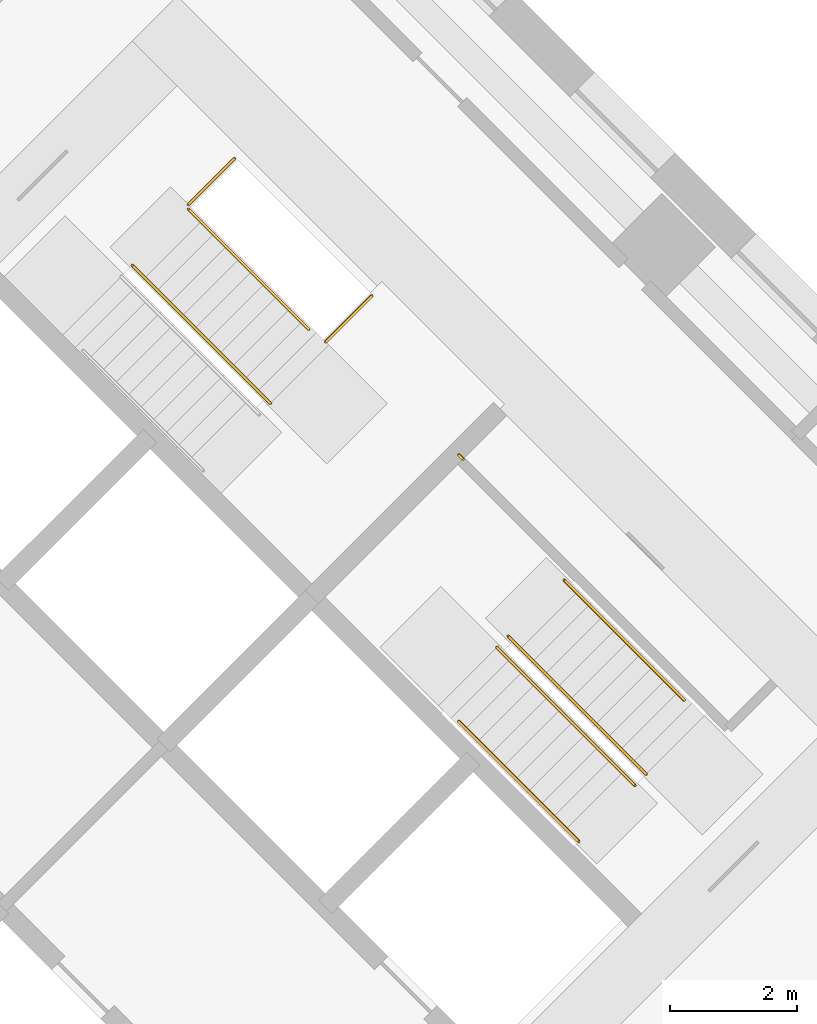
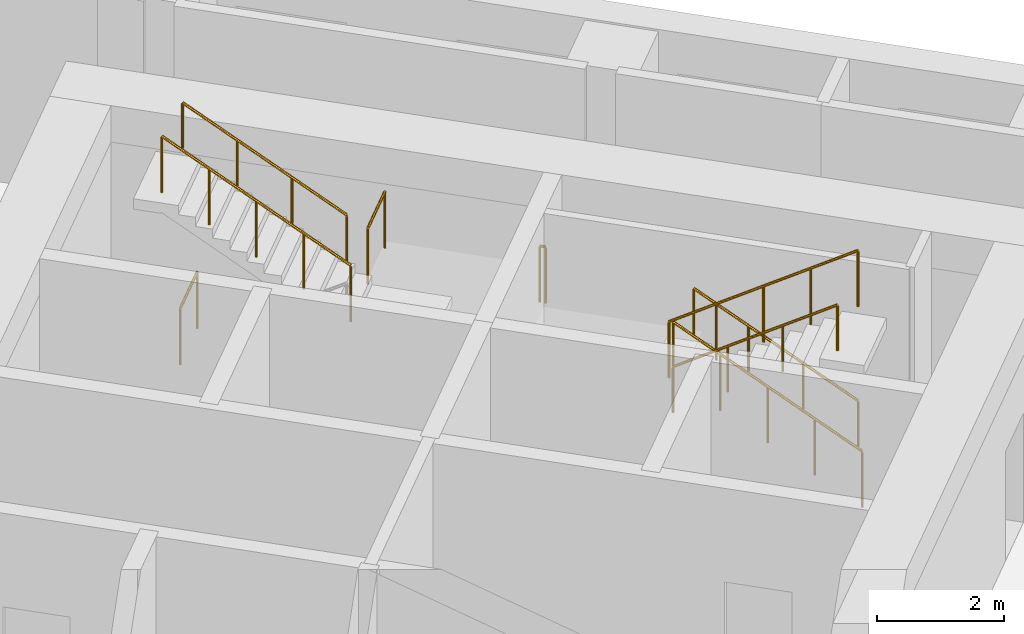
# One storey, part 12 of 12: 9 railings.
"""IFC4 building model written with IfcOpenShell, lengths in metres."""

from ifc_helpers import new_model, si_unit, direction, frame, origin, origin_2d, place, context, subcontext, project, spatial, circle, extrude, material, type_object, element, save


model = new_model("IFC4")

# Units and contexts
model_context = context("Model", 3, precision=1e-05, world=origin(), true_north=direction((0.0, 1.0)))
body_context = subcontext(model_context, "Body", "Model", "MODEL_VIEW")
ifc_project = project(units=[si_unit("LENGTHUNIT", "METRE"), si_unit("AREAUNIT", "SQUARE_METRE"), si_unit("VOLUMEUNIT", "CUBIC_METRE"), si_unit("PLANEANGLEUNIT", "RADIAN"), si_unit("MASSUNIT", "GRAM", prefix="KILO")], contexts=[model_context])

# Site, building, storey
site_placement = place(None, origin())
site = spatial("IfcSite", under=ifc_project, at=site_placement, CompositionType="ELEMENT")
building_placement = place(site_placement, origin())
building = spatial("IfcBuilding", under=site, at=building_placement, Name="Windrow Commons", CompositionType="ELEMENT")
storey_placement = place(building_placement, frame((0.0, 0.0, 22.8)))
storey = spatial("IfcBuildingStorey", under=building, at=storey_placement, Name="L05", CompositionType="ELEMENT", Elevation=22.8)

# Railings
ifc_material_1 = material(Name="Steel S355", Category="steel")
railing_type_1 = type_object("IfcRailingType", Name="Core stair guard 1100", PredefinedType="GUARDRAIL", material=ifc_material_1)
railing_1_placement = place(storey_placement, frame((88.3075, 54.2658, 2.275)))
element("IfcRailing", 1, at=railing_1_placement, inside=storey, type_object=railing_type_1, Name="L05 ST-B1 stair guard 2", PredefinedType="GUARDRAIL", context=body_context, shape_type="SweptSolid", body=[
    extrude(circle(Radius=0.024, at=origin_2d()), frame((0.0, 0.0, 1.076), z_axis=(-0.5996262107, 0.5996262107, 0.5299969951), x_axis=(-0.7071067812, -0.7071067812, 0.0)), (0.0, 0.0, 1.0), 3.6321),
    extrude(circle(Radius=0.021, at=origin_2d()), origin(), (0.0, 0.0, 1.0), 1.052),
    extrude(circle(Radius=0.021, at=origin_2d()), frame((-0.5445, 0.5445, 0.4813)), (0.0, 0.0, 1.0), 1.052),
    extrude(circle(Radius=0.021, at=origin_2d()), frame((-1.089, 1.089, 0.9625)), (0.0, 0.0, 1.0), 1.052),
    extrude(circle(Radius=0.021, at=origin_2d()), frame((-1.6334, 1.6334, 1.4438)), (0.0, 0.0, 1.0), 1.052),
    extrude(circle(Radius=0.021, at=origin_2d()), frame((-2.1779, 2.1779, 1.925)), (0.0, 0.0, 1.0), 1.052),
])
railing_2_placement = place(storey_placement, frame((87.0135, 57.3982, 0.0)))
element("IfcRailing", 2, at=railing_2_placement, inside=storey, type_object=railing_type_1, Name="L05 ST-B1 stair guard 3", PredefinedType="GUARDRAIL", context=body_context, shape_type="SweptSolid", body=[
    extrude(circle(Radius=0.024, at=origin_2d()), frame((0.0, 0.0, 1.076), z_axis=(0.7070582378, 0.7071553212, 0.0), x_axis=(-0.7071553212, 0.7070582378, 0.0)), (0.0, 0.0, 1.0), 1.03),
    extrude(circle(Radius=0.021, at=origin_2d()), origin(), (0.0, 0.0, 1.0), 1.052),
    extrude(circle(Radius=0.021, at=origin_2d()), frame((0.7283, 0.7284, 0.0)), (0.0, 0.0, 1.0), 1.052),
])
railing_3_placement = place(storey_placement, frame((89.1773, 55.2345, 2.1)))
element("IfcRailing", 3, at=railing_3_placement, inside=storey, type_object=railing_type_1, Name="L05 ST-B1 stair guard 4", PredefinedType="GUARDRAIL", context=body_context, shape_type="SweptSolid", body=[
    extrude(circle(Radius=0.024, at=origin_2d()), frame((0.0, 0.0, 1.076), z_axis=(0.7071067812, 0.7071067812, 0.0), x_axis=(-0.7071067812, 0.7071067812, 0.0)), (0.0, 0.0, 1.0), 1.03),
    extrude(circle(Radius=0.021, at=origin_2d()), origin(), (0.0, 0.0, 1.0), 1.052),
    extrude(circle(Radius=0.021, at=origin_2d()), frame((0.7283, 0.7283, 0.0)), (0.0, 0.0, 1.0), 1.052),
])
railing_4_placement = place(storey_placement, frame((94.2296, 48.4215, 0.175)))
element("IfcRailing", 4, at=railing_4_placement, inside=storey, type_object=railing_type_1, Name="L05 ST-B2 stair guard 1", PredefinedType="GUARDRAIL", context=body_context, shape_type="SweptSolid", body=[
    extrude(circle(Radius=0.024, at=origin_2d()), frame((0.0, 0.0, 1.076), z_axis=(-0.5996262107, 0.5996262107, 0.5299969951), x_axis=(-0.7071067812, -0.7071067812, 0.0)), (0.0, 0.0, 1.0), 3.6321),
    extrude(circle(Radius=0.021, at=origin_2d()), origin(), (0.0, 0.0, 1.0), 1.052),
    extrude(circle(Radius=0.021, at=origin_2d()), frame((-0.5445, 0.5445, 0.4812)), (0.0, 0.0, 1.0), 1.052),
    extrude(circle(Radius=0.021, at=origin_2d()), frame((-1.089, 1.089, 0.9625)), (0.0, 0.0, 1.0), 1.052),
    extrude(circle(Radius=0.021, at=origin_2d()), frame((-1.6334, 1.6334, 1.4437)), (0.0, 0.0, 1.0), 1.052),
    extrude(circle(Radius=0.021, at=origin_2d()), frame((-2.1779, 2.1779, 1.925)), (0.0, 0.0, 1.0), 1.052),
])
railing_5_placement = place(storey_placement, frame((91.8749, 50.4226, 2.275)))
element("IfcRailing", 5, at=railing_5_placement, inside=storey, type_object=railing_type_1, Name="L05 ST-B2 stair guard 2", PredefinedType="GUARDRAIL", context=body_context, shape_type="SweptSolid", body=[
    extrude(circle(Radius=0.024, at=origin_2d()), frame((0.0, 0.0, 1.076), z_axis=(0.5996262107, -0.5996262107, 0.5299969951), x_axis=(0.7071067812, 0.7071067812, 0.0)), (0.0, 0.0, 1.0), 3.6321),
    extrude(circle(Radius=0.021, at=origin_2d()), origin(), (0.0, 0.0, 1.0), 1.052),
    extrude(circle(Radius=0.021, at=origin_2d()), frame((0.5445, -0.5445, 0.4813)), (0.0, 0.0, 1.0), 1.052),
    extrude(circle(Radius=0.021, at=origin_2d()), frame((1.089, -1.089, 0.9625)), (0.0, 0.0, 1.0), 1.052),
    extrude(circle(Radius=0.021, at=origin_2d()), frame((1.6334, -1.6334, 1.4438)), (0.0, 0.0, 1.0), 1.052),
    extrude(circle(Radius=0.021, at=origin_2d()), frame((2.1779, -2.1779, 1.925)), (0.0, 0.0, 1.0), 1.052),
])
railing_6_placement = place(storey_placement, frame((91.3446, 53.3854, 2.1)))
element("IfcRailing", 6, at=railing_6_placement, inside=storey, type_object=railing_type_1, Name="L05 ST-B2 stair guard 3", PredefinedType="GUARDRAIL", context=body_context, shape_type="SweptSolid", body=[
    extrude(circle(Radius=0.024, at=origin_2d()), frame((0.0, 0.0, 1.076), z_axis=(-0.7076063266, 0.7066068826, 0.0), x_axis=(-0.7066068826, -0.7076063266, 0.0)), (0.0, 0.0, 1.0), 0.1001),
    extrude(circle(Radius=0.021, at=origin_2d()), origin(), (0.0, 0.0, 1.0), 1.052),
    extrude(circle(Radius=0.021, at=origin_2d()), frame((-0.0708, 0.0707, 0.0)), (0.0, 0.0, 1.0), 1.052),
])
ifc_material_2 = material(Name="Steel S355", Category="steel")
railing_type_2 = type_object("IfcRailingType", Name="Core stair handrail 900", PredefinedType="HANDRAIL", material=ifc_material_2)
for number, where, name in (
    (7, (88.9086, 55.4325, 2.525), "L05 ST-B1 stair handrail 2"),
    (8, (94.8306, 49.5883, 0.425), "L05 ST-B2 stair handrail 1"),
):
    element("IfcRailing", number, at=place(storey_placement, frame(where)), inside=storey, type_object=railing_type_2, Name=name, PredefinedType="HANDRAIL", context=body_context, shape_type="SweptSolid", body=[
        extrude(circle(Radius=0.024, at=origin_2d()), frame((0.0, 0.0, 0.876), z_axis=(-0.599641512, 0.5996098703, 0.5299981703), x_axis=(-0.7070881243, -0.7071254376, 0.0)), (0.0, 0.0, 1.0), 3.1604),
        extrude(circle(Radius=0.021, at=origin_2d()), origin(), (0.0, 0.0, 1.0), 0.852),
        extrude(circle(Radius=0.021, at=origin_2d()), frame((-0.6317, 0.6317, 0.5583)), (0.0, 0.0, 1.0), 0.852),
        extrude(circle(Radius=0.021, at=origin_2d()), frame((-1.2634, 1.2633, 1.1167)), (0.0, 0.0, 1.0), 0.852),
        extrude(circle(Radius=0.021, at=origin_2d()), frame((-1.8951, 1.895, 1.675)), (0.0, 0.0, 1.0), 0.852),
    ])
railing_7_placement = place(storey_placement, frame((91.2738, 49.2559, 2.525)))
element("IfcRailing", 9, at=railing_7_placement, inside=storey, type_object=railing_type_2, Name="L05 ST-B2 stair handrail 2", PredefinedType="HANDRAIL", context=body_context, shape_type="SweptSolid", body=[
    extrude(circle(Radius=0.024, at=origin_2d()), frame((0.0, 0.0, 0.876), z_axis=(0.599641512, -0.5996098703, 0.5299981703), x_axis=(0.7070881243, 0.7071254376, 0.0)), (0.0, 0.0, 1.0), 3.1604),
    extrude(circle(Radius=0.021, at=origin_2d()), origin(), (0.0, 0.0, 1.0), 0.852),
    extrude(circle(Radius=0.021, at=origin_2d()), frame((0.6317, -0.6317, 0.5583)), (0.0, 0.0, 1.0), 0.852),
    extrude(circle(Radius=0.021, at=origin_2d()), frame((1.2634, -1.2633, 1.1167)), (0.0, 0.0, 1.0), 0.852),
    extrude(circle(Radius=0.021, at=origin_2d()), frame((1.8951, -1.895, 1.675)), (0.0, 0.0, 1.0), 0.852),
])

save(model, "model.ifc")
